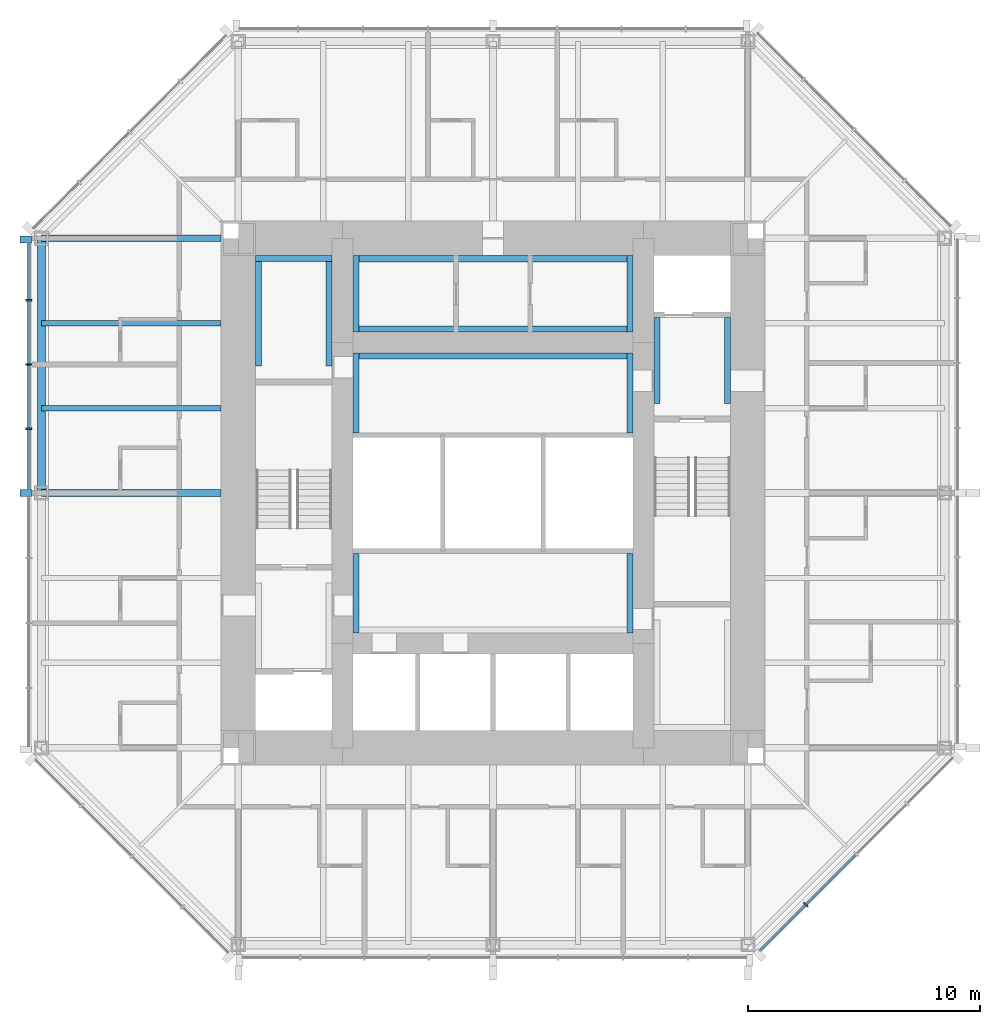
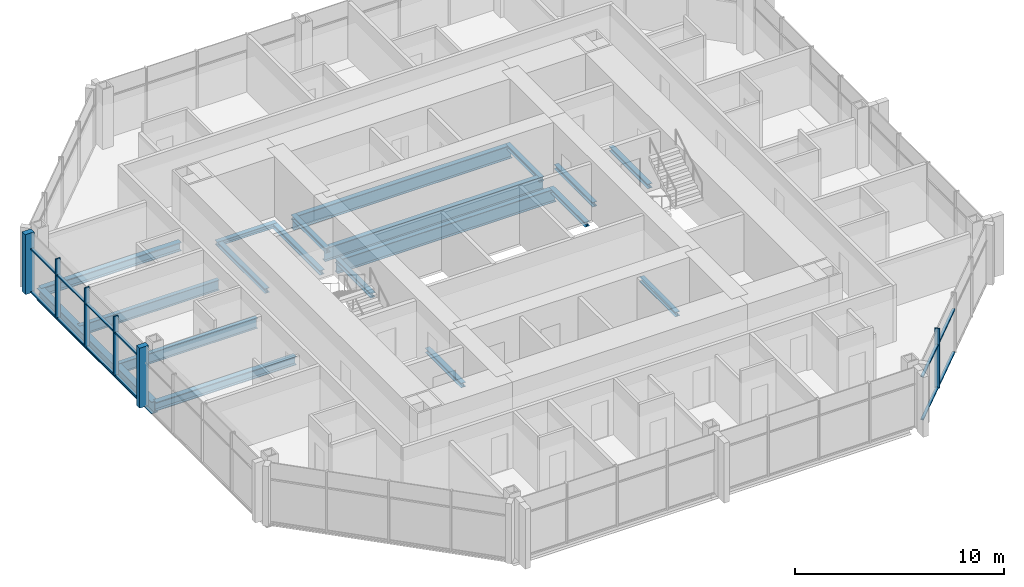
# One storey, part 3 of 12: 19 beams, 18 members, 2 elements without a shape of their own.
"""IFC4 building model written with IfcOpenShell, lengths in metres."""

from ifc_helpers import new_model, si_unit, direction, frame, origin, origin_2d, place, context, subcontext, project, spatial, rectangle, i_section, extrude, material, material_profile, profile_set, type_object, element, aggregate, save


model = new_model("IFC4")

# Units and contexts
model_context = context("Model", 3, precision=1e-05, world=origin(), true_north=direction((0.0, 1.0)))
body_context = subcontext(model_context, "Body", "Model", "MODEL_VIEW")
ifc_project = project(units=[si_unit("LENGTHUNIT", "METRE"), si_unit("AREAUNIT", "SQUARE_METRE"), si_unit("VOLUMEUNIT", "CUBIC_METRE"), si_unit("PLANEANGLEUNIT", "RADIAN"), si_unit("MASSUNIT", "GRAM", prefix="KILO")], contexts=[model_context])

# Site, building, storey
site_placement = place(None, origin())
site = spatial("IfcSite", under=ifc_project, at=site_placement, CompositionType="ELEMENT")
building_placement = place(site_placement, origin())
building = spatial("IfcBuilding", under=site, at=building_placement, Name="Trevanion Tower", CompositionType="ELEMENT")
storey_placement = place(building_placement, frame((0.0, 0.0, 208.199951171875)))
storey = spatial("IfcBuildingStorey", under=building, at=storey_placement, Name="L49", CompositionType="ELEMENT", Elevation=208.199951171875)

# Beams
ifc_material_1 = material(Name="Steel ASTM A992 Grade 50", Category="steel")
ifc_material_profile_1 = material_profile(ifc_material_1, i_section(OverallWidth=0.228271484375, OverallDepth=0.607177734375, WebThickness=0.01123046875, FlangeThickness=0.017333984375, at=origin_2d()), Name="W24X76")
ifc_profile_set_1 = profile_set([ifc_material_profile_1], Name="Steel ASTM A992 Grade 50")
beam_type_1 = type_object("IfcBeamType", Name="B11 W24X76", PredefinedType="BEAM", material=ifc_profile_set_1)
for number, where, z_axis, x_axis, name in (
    (1, (-11.75, 7.333251953125, -0.493408203125), (-1.0, 0.0, 0.0), (0.0, -1.0, 0.0), "B11 L49"),
    (2, (-11.75, 3.666748046875, -0.493408203125), (-1.0, 0.0, 0.0), (0.0, -1.0, 0.0), "B11 L49"),
):
    element("IfcBeam", number, at=place(storey_placement, frame(where, z_axis=z_axis, x_axis=x_axis)), inside=storey, type_object=beam_type_1, Name=name, PredefinedType="BEAM", context=body_context, shape_type="SweptSolid", body=[
        extrude(i_section(OverallWidth=0.228271484375, OverallDepth=0.607177734375, WebThickness=0.01123046875, FlangeThickness=0.017333984375, at=origin_2d()), origin(), (0.0, 0.0, 1.0), 7.75),
    ])

# Curtain wall, members
ifc_material_2 = material(Name="Aluminium and glass", Category="aluminium")
curtain_wall_type = type_object("IfcCurtainWallType", Name="CW3 curtain wall", PredefinedType="USERDEFINED", material=ifc_material_2)
curtain_wall_1_placement = place(storey_placement, origin())
curtain_wall_1 = element("IfcCurtainWall", 3, at=curtain_wall_1_placement, inside=storey, type_object=curtain_wall_type, Name="CW3 L49 4", ObjectType="UNITISED CURTAIN WALL", PredefinedType="USERDEFINED")
ifc_material_3 = material(Name="Aluminium extrusion, anodised bronze", Category="aluminium")
ifc_material_profile_2 = material_profile(ifc_material_3, rectangle(XDim=0.074951171875, YDim=0.25, at=origin_2d()), Name="CW3 mullion")
ifc_profile_set_2 = profile_set([ifc_material_profile_2], Name="Aluminium extrusion, anodised bronze")
member_type_1 = type_object("IfcMemberType", Name="CW3 mullion", PredefinedType="MULLION", material=ifc_profile_set_2)
member_1_placement = place(storey_placement, frame((-20.050048828125, 8.323486328125, -0.18994140625), z_axis=(0.0, 0.0, 1.0), x_axis=(0.0, -1.0, 0.0)))
member_1 = element("IfcMember", 4, at=member_1_placement, type_object=member_type_1, Name="CW3 mullion 2", PredefinedType="MULLION", context=body_context, shape_type="SweptSolid", body=[
    extrude(rectangle(XDim=0.074951171875, YDim=0.25, at=origin_2d()), origin(), (0.0, 0.0, 1.0), 3.5),
])
member_2_placement = place(storey_placement, frame((-20.050048828125, 5.548828125, -0.18994140625), z_axis=(0.0, 0.0, 1.0), x_axis=(0.0, -1.0, 0.0)))
member_2 = element("IfcMember", 5, at=member_2_placement, type_object=member_type_1, Name="CW3 mullion 3", PredefinedType="MULLION", context=body_context, shape_type="SweptSolid", body=[
    extrude(rectangle(XDim=0.074951171875, YDim=0.25, at=origin_2d()), origin(), (0.0, 0.0, 1.0), 3.5),
])
member_3_placement = place(storey_placement, frame((-20.050048828125, 2.7744140625, -0.18994140625), z_axis=(0.0, 0.0, 1.0), x_axis=(0.0, -1.0, 0.0)))
member_3 = element("IfcMember", 6, at=member_3_placement, type_object=member_type_1, Name="CW3 mullion 4", PredefinedType="MULLION", context=body_context, shape_type="SweptSolid", body=[
    extrude(rectangle(XDim=0.074951171875, YDim=0.25, at=origin_2d()), origin(), (0.0, 0.0, 1.0), 3.5),
])

# Curtain wall, member
curtain_wall_2_placement = place(storey_placement, origin())
curtain_wall_2 = element("IfcCurtainWall", 7, at=curtain_wall_2_placement, inside=storey, type_object=curtain_wall_type, Name="CW3 L49 7", ObjectType="UNITISED CURTAIN WALL", PredefinedType="USERDEFINED")
member_4_placement = place(storey_placement, frame((13.502197265625, -17.775390625, -0.18994140625), z_axis=(0.0, 0.0, 1.0), x_axis=(0.707106781187, 0.707106781187, 0.0)))
member_4 = element("IfcMember", 8, at=member_4_placement, type_object=member_type_1, Name="CW3 mullion 2", PredefinedType="MULLION", context=body_context, shape_type="SweptSolid", body=[
    extrude(rectangle(XDim=0.074951171875, YDim=0.25, at=origin_2d()), origin(), (0.0, 0.0, 1.0), 3.5),
])

# Member
ifc_material_4 = material(Name="Aluminium extrusion, anodised bronze", Category="aluminium")
ifc_material_profile_3 = material_profile(ifc_material_4, rectangle(XDim=0.300048828125, YDim=0.5, at=origin_2d()), Name="CW3 pier mullion")
ifc_profile_set_3 = profile_set([ifc_material_profile_3], Name="Aluminium extrusion, anodised bronze")
member_type_2 = type_object("IfcMemberType", Name="CW3 pier mullion", PredefinedType="MULLION", material=ifc_profile_set_3)
member_5_placement = place(storey_placement, frame((-20.175048828125, 10.94775390625, -0.18994140625), z_axis=(0.0, 0.0, 1.0), x_axis=(0.0, -1.0, 0.0)))
member_5 = element("IfcMember", 9, at=member_5_placement, type_object=member_type_2, Name="CW3 pier mullion 1", PredefinedType="MULLION", context=body_context, shape_type="SweptSolid", body=[
    extrude(rectangle(XDim=0.300048828125, YDim=0.5, at=origin_2d()), origin(), (0.0, 0.0, 1.0), 3.5),
])

member_6_placement = place(storey_placement, frame((-20.175048828125, 0.0, -0.18994140625), z_axis=(0.0, 0.0, 1.0), x_axis=(0.0, -1.0, 0.0)))
member_6 = element("IfcMember", 10, at=member_6_placement, type_object=member_type_2, Name="CW3 pier mullion 5", PredefinedType="MULLION", context=body_context, shape_type="SweptSolid", body=[
    extrude(rectangle(XDim=0.300048828125, YDim=0.5, at=origin_2d()), origin(), (0.0, 0.0, 1.0), 3.5),
])

ifc_material_5 = material(Name="Aluminium extrusion, anodised bronze", Category="aluminium")
ifc_material_profile_4 = material_profile(ifc_material_5, rectangle(XDim=0.14990234375, YDim=0.074951171875, at=origin_2d()), Name="CW3 transom")
ifc_profile_set_4 = profile_set([ifc_material_profile_4], Name="Aluminium extrusion, anodised bronze")
member_type_3 = type_object("IfcMemberType", Name="CW3 transom", PredefinedType="USERDEFINED", material=ifc_profile_set_4)
member_7_placement = place(storey_placement, frame((-20.050048828125, 10.7978515625, -0.15234375), z_axis=(0.0, -1.0, 0.0), x_axis=(1.0, 0.0, 0.0)))
member_7 = element("IfcMember", 11, at=member_7_placement, type_object=member_type_3, Name="CW3 transom 1.1", ObjectType="TRANSOM", PredefinedType="USERDEFINED", context=body_context, shape_type="SweptSolid", body=[
    extrude(rectangle(XDim=0.14990234375, YDim=0.074951171875, at=origin_2d()), origin(), (0.0, 0.0, 1.0), 2.43701171875),
])

member_8_placement = place(storey_placement, frame((-20.050048828125, 10.7978515625, 2.360107421875), z_axis=(0.0, -1.0, 0.0), x_axis=(1.0, 0.0, 0.0)))
member_8 = element("IfcMember", 12, at=member_8_placement, type_object=member_type_3, Name="CW3 transom 1.2", ObjectType="TRANSOM", PredefinedType="USERDEFINED", context=body_context, shape_type="SweptSolid", body=[
    extrude(rectangle(XDim=0.14990234375, YDim=0.074951171875, at=origin_2d()), origin(), (0.0, 0.0, 1.0), 2.43701171875),
])

member_9_placement = place(storey_placement, frame((-20.050048828125, 8.285888671875, -0.15234375), z_axis=(0.0, -1.0, 0.0), x_axis=(1.0, 0.0, 0.0)))
member_9 = element("IfcMember", 13, at=member_9_placement, type_object=member_type_3, Name="CW3 transom 2.1", ObjectType="TRANSOM", PredefinedType="USERDEFINED", context=body_context, shape_type="SweptSolid", body=[
    extrude(rectangle(XDim=0.14990234375, YDim=0.074951171875, at=origin_2d()), origin(), (0.0, 0.0, 1.0), 2.699462890625),
])

member_10_placement = place(storey_placement, frame((-20.050048828125, 8.285888671875, 2.360107421875), z_axis=(0.0, -1.0, 0.0), x_axis=(1.0, 0.0, 0.0)))
member_10 = element("IfcMember", 14, at=member_10_placement, type_object=member_type_3, Name="CW3 transom 2.2", ObjectType="TRANSOM", PredefinedType="USERDEFINED", context=body_context, shape_type="SweptSolid", body=[
    extrude(rectangle(XDim=0.14990234375, YDim=0.074951171875, at=origin_2d()), origin(), (0.0, 0.0, 1.0), 2.699462890625),
])

member_11_placement = place(storey_placement, frame((-20.050048828125, 5.511474609375, -0.15234375), z_axis=(0.0, -1.0, 0.0), x_axis=(1.0, 0.0, 0.0)))
member_11 = element("IfcMember", 15, at=member_11_placement, type_object=member_type_3, Name="CW3 transom 3.1", ObjectType="TRANSOM", PredefinedType="USERDEFINED", context=body_context, shape_type="SweptSolid", body=[
    extrude(rectangle(XDim=0.14990234375, YDim=0.074951171875, at=origin_2d()), origin(), (0.0, 0.0, 1.0), 2.699462890625),
])

member_12_placement = place(storey_placement, frame((-20.050048828125, 5.511474609375, 2.360107421875), z_axis=(0.0, -1.0, 0.0), x_axis=(1.0, 0.0, 0.0)))
member_12 = element("IfcMember", 16, at=member_12_placement, type_object=member_type_3, Name="CW3 transom 3.2", ObjectType="TRANSOM", PredefinedType="USERDEFINED", context=body_context, shape_type="SweptSolid", body=[
    extrude(rectangle(XDim=0.14990234375, YDim=0.074951171875, at=origin_2d()), origin(), (0.0, 0.0, 1.0), 2.699462890625),
])

member_13_placement = place(storey_placement, frame((-20.050048828125, 2.737060546875, -0.15234375), z_axis=(0.0, -1.0, 0.0), x_axis=(1.0, 0.0, 0.0)))
member_13 = element("IfcMember", 17, at=member_13_placement, type_object=member_type_3, Name="CW3 transom 4.1", ObjectType="TRANSOM", PredefinedType="USERDEFINED", context=body_context, shape_type="SweptSolid", body=[
    extrude(rectangle(XDim=0.14990234375, YDim=0.074951171875, at=origin_2d()), origin(), (0.0, 0.0, 1.0), 2.587158203125),
])

member_14_placement = place(storey_placement, frame((-20.050048828125, 2.737060546875, 2.360107421875), z_axis=(0.0, -1.0, 0.0), x_axis=(1.0, 0.0, 0.0)))
member_14 = element("IfcMember", 18, at=member_14_placement, type_object=member_type_3, Name="CW3 transom 4.2", ObjectType="TRANSOM", PredefinedType="USERDEFINED", context=body_context, shape_type="SweptSolid", body=[
    extrude(rectangle(XDim=0.14990234375, YDim=0.074951171875, at=origin_2d()), origin(), (0.0, 0.0, 1.0), 2.587158203125),
])

aggregate(curtain_wall_1, [member_5, member_1, member_2, member_3, member_6, member_7, member_8, member_9, member_10, member_11, member_12, member_13, member_14])

member_15_placement = place(storey_placement, frame((11.531982421875, -19.745849609375, -0.15234375), z_axis=(0.707106781187, 0.707106781187, 0.0), x_axis=(-0.707106781187, 0.707106781187, 0.0)))
member_15 = element("IfcMember", 19, at=member_15_placement, type_object=member_type_3, Name="CW3 transom 1.1", ObjectType="TRANSOM", PredefinedType="USERDEFINED", context=body_context, shape_type="SweptSolid", body=[
    extrude(rectangle(XDim=0.14990234375, YDim=0.074951171875, at=origin_2d()), origin(), (0.0, 0.0, 1.0), 2.7490234375),
])

member_16_placement = place(storey_placement, frame((11.531982421875, -19.745849609375, 2.360107421875), z_axis=(0.707106781187, 0.707106781187, 0.0), x_axis=(-0.707106781187, 0.707106781187, 0.0)))
member_16 = element("IfcMember", 20, at=member_16_placement, type_object=member_type_3, Name="CW3 transom 1.2", ObjectType="TRANSOM", PredefinedType="USERDEFINED", context=body_context, shape_type="SweptSolid", body=[
    extrude(rectangle(XDim=0.14990234375, YDim=0.074951171875, at=origin_2d()), origin(), (0.0, 0.0, 1.0), 2.7490234375),
])

member_17_placement = place(storey_placement, frame((13.52880859375, -17.7490234375, -0.15234375), z_axis=(0.707106781187, 0.707106781187, 0.0), x_axis=(-0.707106781187, 0.707106781187, 0.0)))
member_17 = element("IfcMember", 21, at=member_17_placement, type_object=member_type_3, Name="CW3 transom 2.1", ObjectType="TRANSOM", PredefinedType="USERDEFINED", context=body_context, shape_type="SweptSolid", body=[
    extrude(rectangle(XDim=0.14990234375, YDim=0.074951171875, at=origin_2d()), origin(), (0.0, 0.0, 1.0), 3.01171875),
])

member_18_placement = place(storey_placement, frame((13.52880859375, -17.7490234375, 2.360107421875), z_axis=(0.707106781187, 0.707106781187, 0.0), x_axis=(-0.707106781187, 0.707106781187, 0.0)))
member_18 = element("IfcMember", 22, at=member_18_placement, type_object=member_type_3, Name="CW3 transom 2.2", ObjectType="TRANSOM", PredefinedType="USERDEFINED", context=body_context, shape_type="SweptSolid", body=[
    extrude(rectangle(XDim=0.14990234375, YDim=0.074951171875, at=origin_2d()), origin(), (0.0, 0.0, 1.0), 3.01171875),
])

aggregate(curtain_wall_2, [member_4, member_15, member_16, member_17, member_18])

# Beams
ifc_material_6 = material(Name="Steel ASTM A992 Grade 50", Category="steel")
ifc_material_profile_5 = material_profile(ifc_material_6, i_section(OverallWidth=0.28955078125, OverallDepth=0.508056640625, WebThickness=0.022705078125, FlangeThickness=0.040283203125, at=origin_2d()), Name="W18X175")
ifc_profile_set_5 = profile_set([ifc_material_profile_5], Name="Steel ASTM A992 Grade 50")
beam_type_2 = type_object("IfcBeamType", Name="G6 W18X175", PredefinedType="BEAM", material=ifc_profile_set_5)
for number, where, z_axis, x_axis, name in (
    (23, (-11.75, 11.0, -0.44384765625), (-1.0, 0.0, 0.0), (0.0, -1.0, 0.0), "G6 L49"),
    (24, (-11.75, 0.0, -0.44384765625), (-1.0, 0.0, 0.0), (0.0, -1.0, 0.0), "G6 L49"),
):
    element("IfcBeam", number, at=place(storey_placement, frame(where, z_axis=z_axis, x_axis=x_axis)), inside=storey, type_object=beam_type_2, Name=name, PredefinedType="BEAM", context=body_context, shape_type="SweptSolid", body=[
        extrude(i_section(OverallWidth=0.28955078125, OverallDepth=0.508056640625, WebThickness=0.022705078125, FlangeThickness=0.040283203125, at=origin_2d()), origin(), (0.0, 0.0, 1.0), 7.75),
    ])
ifc_material_7 = material(Name="Steel ASTM A992 Grade 50", Category="steel")
ifc_material_profile_6 = material_profile(ifc_material_7, i_section(OverallWidth=0.256591796875, OverallDepth=0.26416015625, WebThickness=0.011962890625, FlangeThickness=0.01953125, at=origin_2d()), Name="W10X68")
ifc_profile_set_6 = profile_set([ifc_material_profile_6], Name="Steel ASTM A992 Grade 50")
beam_type_3 = type_object("IfcBeamType", Name="LB1 W10X68", PredefinedType="BEAM", material=ifc_profile_set_6)
for number, where, z_axis, x_axis, name in (
    (25, (-5.921630859375, 2.60009765625, -0.33203125), (0.0, 1.0, 0.0), (-1.0, 0.0, 0.0), "LB1 L49"),
    (26, (5.921630859375, 2.60009765625, -0.33203125), (0.0, 1.0, 0.0), (-1.0, 0.0, 0.0), "LB1 L49"),
    (27, (-5.921630859375, -6.050048828125, -0.33203125), (0.0, 1.0, 0.0), (-1.0, 0.0, 0.0), "LB1 L49"),
    (28, (5.921630859375, -6.050048828125, -0.33203125), (0.0, 1.0, 0.0), (-1.0, 0.0, 0.0), "LB1 L49"),
):
    element("IfcBeam", number, at=place(storey_placement, frame(where, z_axis=z_axis, x_axis=x_axis)), inside=storey, type_object=beam_type_3, Name=name, PredefinedType="BEAM", context=body_context, shape_type="SweptSolid", body=[
        extrude(i_section(OverallWidth=0.256591796875, OverallDepth=0.26416015625, WebThickness=0.011962890625, FlangeThickness=0.01953125, at=origin_2d()), origin(), (0.0, 0.0, 1.0), 3.449951171875),
    ])
for number, where, z_axis, x_axis, name in (
    (29, (7.078369140625, 3.875, -0.33203125), (0.0, 1.0, 0.0), (-1.0, 0.0, 0.0), "LB1 L49"),
    (30, (10.12158203125, 3.875, -0.33203125), (0.0, 1.0, 0.0), (-1.0, 0.0, 0.0), "LB1 L49"),
):
    element("IfcBeam", number, at=place(storey_placement, frame(where, z_axis=z_axis, x_axis=x_axis)), inside=storey, type_object=beam_type_3, Name=name, PredefinedType="BEAM", context=body_context, shape_type="SweptSolid", body=[
        extrude(i_section(OverallWidth=0.256591796875, OverallDepth=0.26416015625, WebThickness=0.011962890625, FlangeThickness=0.01953125, at=origin_2d()), origin(), (0.0, 0.0, 1.0), 3.699951171875),
    ])
for number, where, z_axis, x_axis, name in (
    (31, (-10.12158203125, 5.47509765625, -0.33203125), (0.0, 1.0, 0.0), (-1.0, 0.0, 0.0), "LB1 L49"),
    (32, (-7.078369140625, 5.47509765625, -0.33203125), (0.0, 1.0, 0.0), (-1.0, 0.0, 0.0), "LB1 L49"),
):
    element("IfcBeam", number, at=place(storey_placement, frame(where, z_axis=z_axis, x_axis=x_axis)), inside=storey, type_object=beam_type_3, Name=name, PredefinedType="BEAM", context=body_context, shape_type="SweptSolid", body=[
        extrude(i_section(OverallWidth=0.256591796875, OverallDepth=0.26416015625, WebThickness=0.011962890625, FlangeThickness=0.01953125, at=origin_2d()), origin(), (0.0, 0.0, 1.0), 4.77490234375),
    ])
for number, where, z_axis, x_axis, name in (
    (33, (-10.25, 10.12158203125, -0.33203125), (1.0, 0.0, 0.0), (0.0, 1.0, 0.0), "LB1 L49"),
    (34, (-5.921630859375, 6.949951171875, -0.33203125), (0.0, 1.0, 0.0), (-1.0, 0.0, 0.0), "LB1 L49"),
    (35, (5.921630859375, 6.949951171875, -0.33203125), (0.0, 1.0, 0.0), (-1.0, 0.0, 0.0), "LB1 L49"),
):
    element("IfcBeam", number, at=place(storey_placement, frame(where, z_axis=z_axis, x_axis=x_axis)), inside=storey, type_object=beam_type_3, Name=name, PredefinedType="BEAM", context=body_context, shape_type="SweptSolid", body=[
        extrude(i_section(OverallWidth=0.256591796875, OverallDepth=0.26416015625, WebThickness=0.011962890625, FlangeThickness=0.01953125, at=origin_2d()), origin(), (0.0, 0.0, 1.0), 3.300048828125),
    ])
ifc_material_8 = material(Name="Steel ASTM A992 Grade 50", Category="steel")
ifc_material_profile_7 = material_profile(ifc_material_8, i_section(OverallWidth=0.2666015625, OverallDepth=0.76953125, WebThickness=0.015625, FlangeThickness=0.025390625, at=origin_2d()), Name="W30X132")
ifc_profile_set_7 = profile_set([ifc_material_profile_7], Name="Steel ASTM A992 Grade 50")
beam_type_4 = type_object("IfcBeamType", Name="LB3 W30X132", PredefinedType="BEAM", material=ifc_profile_set_7)
for number, where, z_axis, x_axis, name in (
    (36, (-6.050048828125, 5.91650390625, -0.584716796875), (1.0, 0.0, 0.0), (0.0, 1.0, 0.0), "LB3 L49"),
    (37, (-6.050048828125, 7.08349609375, -0.584716796875), (1.0, 0.0, 0.0), (0.0, 1.0, 0.0), "LB3 L49"),
    (38, (-6.050048828125, 10.11669921875, -0.584716796875), (1.0, 0.0, 0.0), (0.0, 1.0, 0.0), "LB3 L49"),
):
    element("IfcBeam", number, at=place(storey_placement, frame(where, z_axis=z_axis, x_axis=x_axis)), inside=storey, type_object=beam_type_4, Name=name, PredefinedType="BEAM", context=body_context, shape_type="SweptSolid", body=[
        extrude(i_section(OverallWidth=0.2666015625, OverallDepth=0.76953125, WebThickness=0.015625, FlangeThickness=0.025390625, at=origin_2d()), origin(), (0.0, 0.0, 1.0), 12.10009765625),
    ])
ifc_material_9 = material(Name="Steel ASTM A992 Grade 50", Category="steel")
ifc_material_profile_8 = material_profile(ifc_material_9, i_section(OverallWidth=0.355712890625, OverallDepth=0.696044921875, WebThickness=0.015380859375, FlangeThickness=0.024658203125, at=origin_2d()), Name="W27X146")
ifc_profile_set_8 = profile_set([ifc_material_profile_8], Name="Steel ASTM A992 Grade 50")
beam_type_5 = type_object("IfcBeamType", Name="SB8 W27X146", PredefinedType="SPANDREL", material=ifc_profile_set_8)
beam_placement = place(storey_placement, frame((-19.5, 11.0, -0.537841796875), z_axis=(0.0, -1.0, 0.0), x_axis=(1.0, 0.0, 0.0)))
element("IfcBeam", 39, at=beam_placement, inside=storey, type_object=beam_type_5, Name="SB8 L49", PredefinedType="SPANDREL", context=body_context, shape_type="SweptSolid", body=[
    extrude(i_section(OverallWidth=0.355712890625, OverallDepth=0.696044921875, WebThickness=0.015380859375, FlangeThickness=0.024658203125, at=origin_2d()), origin(), (0.0, 0.0, 1.0), 11.0),
])

save(model, "model.ifc")
